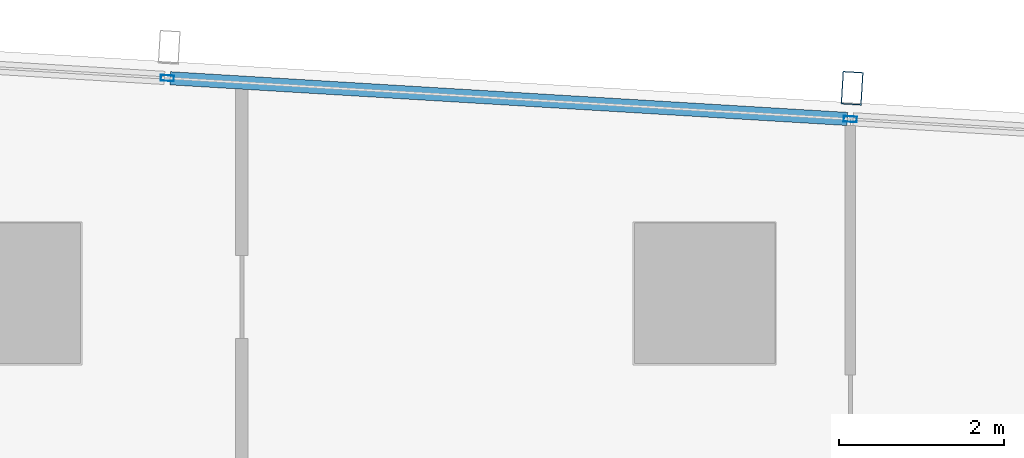
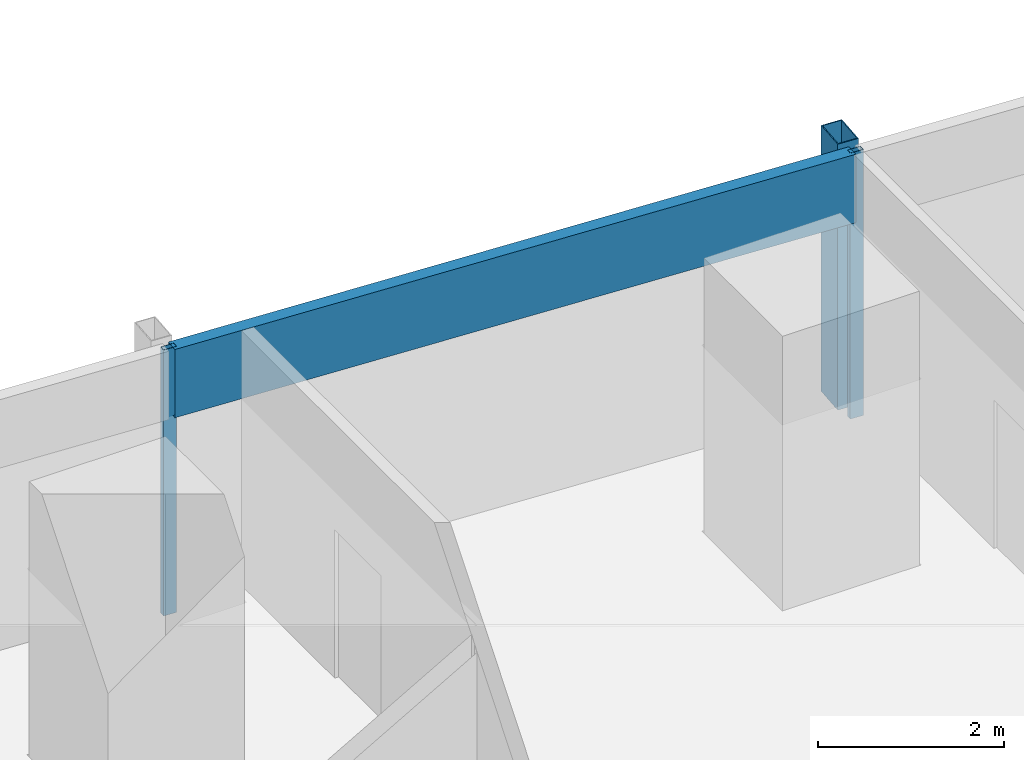
# One storey, part 19 of 40: 4 members, 1 element without a shape of its own.
"""IFC4 building model written with IfcOpenShell, lengths in metres."""

from ifc_helpers import new_model, si_unit, direction, frame, origin, origin_2d, place, context, subcontext, project, spatial, hollow_rectangle, extrude, material, material_profile, profile_set, type_object, element, aggregate, save


model = new_model("IFC4")

# Units and contexts
model_context = context("Model", 3, precision=1e-05, world=origin(), true_north=direction((0.0, 1.0)))
body_context = subcontext(model_context, "Body", "Model", "MODEL_VIEW")
ifc_project = project(units=[si_unit("LENGTHUNIT", "METRE"), si_unit("AREAUNIT", "SQUARE_METRE"), si_unit("VOLUMEUNIT", "CUBIC_METRE"), si_unit("PLANEANGLEUNIT", "RADIAN"), si_unit("MASSUNIT", "GRAM", prefix="KILO")], contexts=[model_context])

# Site, building, storey
site_placement = place(None, origin())
site = spatial("IfcSite", under=ifc_project, at=site_placement, CompositionType="ELEMENT")
building_placement = place(site_placement, origin())
building = spatial("IfcBuilding", under=site, at=building_placement, Name="Rekha Terrace Tower", CompositionType="ELEMENT")
storey_placement = place(building_placement, frame((0.0, 0.0, 132.800048828125)))
storey = spatial("IfcBuildingStorey", under=building, at=storey_placement, Name="L33", CompositionType="ELEMENT", Elevation=132.800048828125)

# Curtain wall, members
ifc_material_1 = material(Name="Aluminium framing", Category="aluminium")
curtain_wall_type = type_object("IfcCurtainWallType", Name="CW3 north unitised glazing", PredefinedType="USERDEFINED", material=ifc_material_1)
curtain_wall_placement = place(storey_placement, origin())
curtain_wall = element("IfcCurtainWall", 1, at=curtain_wall_placement, inside=storey, type_object=curtain_wall_type, Name="CW3 unitised curtain wall", ObjectType="UNITISED CURTAIN WALL", PredefinedType="USERDEFINED")
ifc_material_2 = material(Name="Steel S355 with fluorocarbon finish", Category="steel")
ifc_material_profile_1 = material_profile(ifc_material_2, hollow_rectangle(XDim=0.25, YDim=0.39990234375, WallThickness=0.012451171875, at=origin_2d()), Name="RHS400x250x12.5")
ifc_profile_set_1 = profile_set([ifc_material_profile_1], Name="Steel S355 with fluorocarbon finish")
member_type_1 = type_object("IfcMemberType", Name="BL1 facade blade RHS 400 x 250", PredefinedType="USERDEFINED", material=ifc_profile_set_1)
member_1_placement = place(storey_placement, frame((60.583740234375, 61.281005859375, 0.0), z_axis=(0.0, 0.0, 1.0), x_axis=(-0.998199123409, 0.059987582268, 0.0)))
member_1 = element("IfcMember", 2, at=member_1_placement, type_object=member_type_1, Name="Facade blade", ObjectType="FACADE BLADE", PredefinedType="USERDEFINED", context=body_context, shape_type="SweptSolid", body=[
    extrude(hollow_rectangle(XDim=0.25, YDim=0.39990234375, WallThickness=0.012451171875, at=origin_2d()), origin(), (0.0, 0.0, 1.0), 3.5),
])
ifc_material_3 = material(Name="Aluminium mullion section", Category="aluminium")
ifc_material_profile_2 = material_profile(ifc_material_3, hollow_rectangle(XDim=0.070068359375, YDim=0.159912109375, WallThickness=0.00390625, at=origin_2d()), Name="AL RHS 70x160")
ifc_profile_set_2 = profile_set([ifc_material_profile_2], Name="Aluminium mullion section")
member_type_2 = type_object("IfcMemberType", Name="CW3 mullion RHS 70 x 160", PredefinedType="MULLION", material=ifc_profile_set_2)
member_2_placement = place(storey_placement, frame((60.561279296875, 60.90673828125, 0.0), z_axis=(0.0, 0.0, 1.0), x_axis=(-0.059987926837, -0.998199102701, 0.0)))
member_2 = element("IfcMember", 3, at=member_2_placement, type_object=member_type_2, Name="CW3 mullion 2", PredefinedType="MULLION", context=body_context, shape_type="SweptSolid", body=[
    extrude(hollow_rectangle(XDim=0.070068359375, YDim=0.159912109375, WallThickness=0.00390625, at=origin_2d()), origin(), (0.0, 0.0, 1.0), 3.5),
])
member_3_placement = place(storey_placement, frame((52.299560546875, 61.4033203125, 0.0), z_axis=(0.0, 0.0, 1.0), x_axis=(-0.059987926837, -0.998199102701, 0.0)))
member_3 = element("IfcMember", 4, at=member_3_placement, type_object=member_type_2, Name="CW3 mullion 3", PredefinedType="MULLION", context=body_context, shape_type="SweptSolid", body=[
    extrude(hollow_rectangle(XDim=0.070068359375, YDim=0.159912109375, WallThickness=0.00390625, at=origin_2d()), origin(), (0.0, 0.0, 1.0), 3.5),
])
ifc_material_4 = material(Name="Insulated aluminium spandrel box", Category="aluminium")
ifc_material_profile_3 = material_profile(ifc_material_4, hollow_rectangle(XDim=0.159912109375, YDim=0.89990234375, WallThickness=0.0029296875, at=origin_2d()), Name="AL SPANDREL BOX 160x900")
ifc_profile_set_3 = profile_set([ifc_material_profile_3], Name="Insulated aluminium spandrel box")
member_type_3 = type_object("IfcMemberType", Name="CW3 spandrel transom 160 x 900", PredefinedType="USERDEFINED", material=ifc_profile_set_3)
member_4_placement = place(storey_placement, frame((60.5263671875, 60.908935546875, 3.050048828125), z_axis=(-0.998199826332, 0.059975884418, 0.0), x_axis=(-0.059975884418, -0.998199826332, 0.0)))
member_4 = element("IfcMember", 5, at=member_4_placement, type_object=member_type_3, Name="CW3 spandrel transom 2", ObjectType="TRANSOM", PredefinedType="USERDEFINED", context=body_context, shape_type="SweptSolid", body=[
    extrude(hollow_rectangle(XDim=0.159912109375, YDim=0.89990234375, WallThickness=0.0029296875, at=origin_2d()), origin(), (0.0, 0.0, 1.0), 8.20654296875),
])
aggregate(curtain_wall, [member_2, member_3, member_4, member_1])

save(model, "model.ifc")
